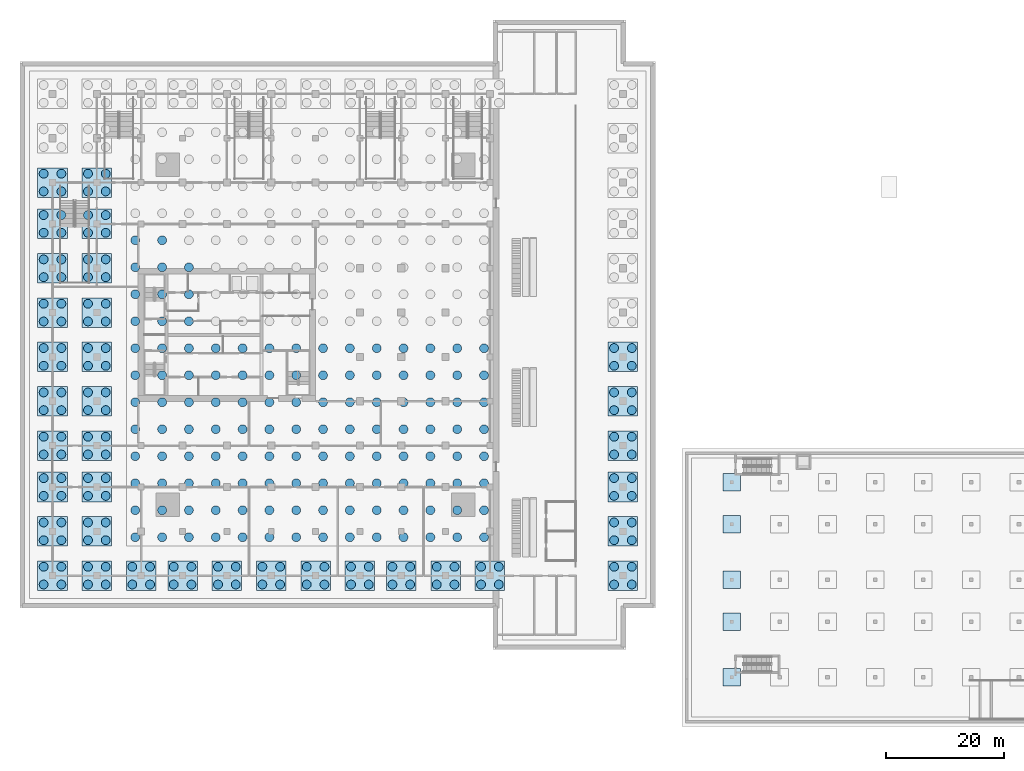
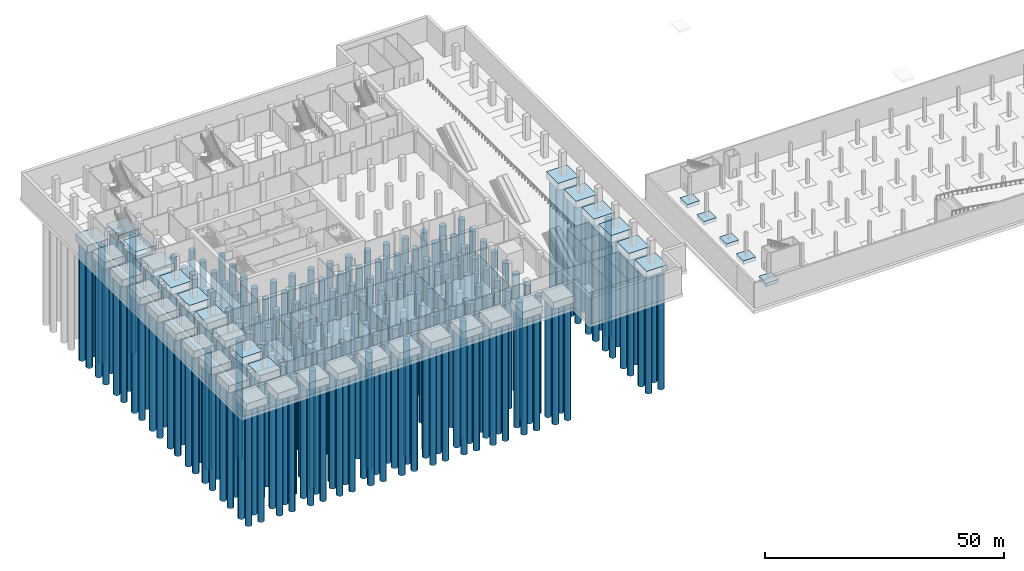
# One storey, part 1 of 39: 263 piles, 40 footings.
"""IFC4 building model written with IfcOpenShell, lengths in metres."""

from ifc_helpers import new_model, si_unit, direction, frame, origin, origin_2d, place, context, subcontext, project, spatial, rectangle, circle, extrude, material, material_profile, profile_set, type_object, element, save


model = new_model("IFC4")

# Units and contexts
model_context = context("Model", 3, precision=1e-05, world=origin(), true_north=direction((0.0, 1.0)))
body_context = subcontext(model_context, "Body", "Model", "MODEL_VIEW")
ifc_project = project(units=[si_unit("LENGTHUNIT", "METRE"), si_unit("AREAUNIT", "SQUARE_METRE"), si_unit("VOLUMEUNIT", "CUBIC_METRE"), si_unit("PLANEANGLEUNIT", "RADIAN"), si_unit("MASSUNIT", "GRAM", prefix="KILO")], contexts=[model_context])

# Site, building, storey
site_placement = place(None, origin())
site = spatial("IfcSite", under=ifc_project, at=site_placement, CompositionType="ELEMENT")
building_placement = place(site_placement, origin())
building = spatial("IfcBuilding", under=site, at=building_placement, Name="Tamorin Gate", CompositionType="ELEMENT")
storey_placement = place(building_placement, frame((0.0, 0.0, -12.0)))
storey = spatial("IfcBuildingStorey", under=building, at=storey_placement, Name="B2", CompositionType="ELEMENT", Elevation=-12.0)

# Piles
ifc_material = material(Name="Concrete C40/50", Category="concrete")
ifc_material_profile = material_profile(ifc_material, circle(Radius=0.75, at=origin_2d()))
ifc_profile_set = profile_set([ifc_material_profile], Name="Concrete C40/50")
pile_type = type_object("IfcPileType", Name="Bored pile 1500 C40/50", PredefinedType="BORED", material=ifc_profile_set)
for number, where, z_axis, x_axis, name in (
    (1, (29.5, 37.0, -3.89990234375), (0.0, 0.0, -1.0), (1.0, 0.0, 0.0), "Raft pile 1-1"),
    (2, (29.5, 41.566650390625, -3.89990234375), (0.0, 0.0, -1.0), (1.0, 0.0, 0.0), "Raft pile 1-2"),
    (3, (29.5, 46.13330078125, -3.89990234375), (0.0, 0.0, -1.0), (1.0, 0.0, 0.0), "Raft pile 1-3"),
    (4, (29.5, 50.699951171875, -3.89990234375), (0.0, 0.0, -1.0), (1.0, 0.0, 0.0), "Raft pile 1-4"),
    (5, (29.5, 55.2666015625, -3.89990234375), (0.0, 0.0, -1.0), (1.0, 0.0, 0.0), "Raft pile 1-5"),
    (6, (29.5, 59.833251953125, -3.89990234375), (0.0, 0.0, -1.0), (1.0, 0.0, 0.0), "Raft pile 1-6"),
    (7, (29.5, 64.39990234375, -3.89990234375), (0.0, 0.0, -1.0), (1.0, 0.0, 0.0), "Raft pile 1-7"),
    (8, (29.5, 68.966552734375, -3.89990234375), (0.0, 0.0, -1.0), (1.0, 0.0, 0.0), "Raft pile 1-8"),
    (9, (29.5, 73.533447265625, -3.89990234375), (0.0, 0.0, -1.0), (1.0, 0.0, 0.0), "Raft pile 1-9"),
    (10, (29.5, 78.10009765625, -3.89990234375), (0.0, 0.0, -1.0), (1.0, 0.0, 0.0), "Raft pile 1-10"),
    (11, (29.5, 82.666748046875, -3.89990234375), (0.0, 0.0, -1.0), (1.0, 0.0, 0.0), "Raft pile 1-11"),
    (12, (29.5, 87.2333984375, -3.89990234375), (0.0, 0.0, -1.0), (1.0, 0.0, 0.0), "Raft pile 1-12"),
    (13, (34.03857421875, 37.0, -3.89990234375), (0.0, 0.0, -1.0), (1.0, 0.0, 0.0), "Raft pile 2-1"),
    (14, (34.03857421875, 41.566650390625, -3.89990234375), (0.0, 0.0, -1.0), (1.0, 0.0, 0.0), "Raft pile 2-2"),
    (15, (34.03857421875, 46.13330078125, -3.89990234375), (0.0, 0.0, -1.0), (1.0, 0.0, 0.0), "Raft pile 2-3"),
    (16, (34.03857421875, 50.699951171875, -3.89990234375), (0.0, 0.0, -1.0), (1.0, 0.0, 0.0), "Raft pile 2-4"),
    (17, (34.03857421875, 55.2666015625, -3.89990234375), (0.0, 0.0, -1.0), (1.0, 0.0, 0.0), "Raft pile 2-5"),
    (18, (34.03857421875, 59.833251953125, -3.89990234375), (0.0, 0.0, -1.0), (1.0, 0.0, 0.0), "Raft pile 2-6"),
    (19, (34.03857421875, 64.39990234375, -3.89990234375), (0.0, 0.0, -1.0), (1.0, 0.0, 0.0), "Raft pile 2-7"),
    (20, (34.03857421875, 68.966552734375, -3.89990234375), (0.0, 0.0, -1.0), (1.0, 0.0, 0.0), "Raft pile 2-8"),
    (21, (34.03857421875, 73.533447265625, -3.89990234375), (0.0, 0.0, -1.0), (1.0, 0.0, 0.0), "Raft pile 2-9"),
    (22, (34.03857421875, 78.10009765625, -3.89990234375), (0.0, 0.0, -1.0), (1.0, 0.0, 0.0), "Raft pile 2-10"),
    (23, (34.03857421875, 82.666748046875, -3.89990234375), (0.0, 0.0, -1.0), (1.0, 0.0, 0.0), "Raft pile 2-11"),
    (24, (34.03857421875, 87.2333984375, -3.89990234375), (0.0, 0.0, -1.0), (1.0, 0.0, 0.0), "Raft pile 2-12"),
    (25, (38.576904296875, 37.0, -3.89990234375), (0.0, 0.0, -1.0), (1.0, 0.0, 0.0), "Raft pile 3-1"),
    (26, (38.576904296875, 41.566650390625, -3.89990234375), (0.0, 0.0, -1.0), (1.0, 0.0, 0.0), "Raft pile 3-2"),
    (27, (38.576904296875, 46.13330078125, -3.89990234375), (0.0, 0.0, -1.0), (1.0, 0.0, 0.0), "Raft pile 3-3"),
    (28, (38.576904296875, 50.699951171875, -3.89990234375), (0.0, 0.0, -1.0), (1.0, 0.0, 0.0), "Raft pile 3-4"),
    (29, (38.576904296875, 55.2666015625, -3.89990234375), (0.0, 0.0, -1.0), (1.0, 0.0, 0.0), "Raft pile 3-5"),
    (30, (38.576904296875, 59.833251953125, -3.89990234375), (0.0, 0.0, -1.0), (1.0, 0.0, 0.0), "Raft pile 3-6"),
    (31, (38.576904296875, 64.39990234375, -3.89990234375), (0.0, 0.0, -1.0), (1.0, 0.0, 0.0), "Raft pile 3-7"),
    (32, (38.576904296875, 68.966552734375, -3.89990234375), (0.0, 0.0, -1.0), (1.0, 0.0, 0.0), "Raft pile 3-8"),
    (33, (38.576904296875, 73.533447265625, -3.89990234375), (0.0, 0.0, -1.0), (1.0, 0.0, 0.0), "Raft pile 3-9"),
    (34, (38.576904296875, 78.10009765625, -3.89990234375), (0.0, 0.0, -1.0), (1.0, 0.0, 0.0), "Raft pile 3-10"),
    (35, (38.576904296875, 82.666748046875, -3.89990234375), (0.0, 0.0, -1.0), (1.0, 0.0, 0.0), "Raft pile 3-11"),
    (36, (43.115478515625, 37.0, -3.89990234375), (0.0, 0.0, -1.0), (1.0, 0.0, 0.0), "Raft pile 4-1"),
    (37, (43.115478515625, 41.566650390625, -3.89990234375), (0.0, 0.0, -1.0), (1.0, 0.0, 0.0), "Raft pile 4-2"),
    (38, (43.115478515625, 46.13330078125, -3.89990234375), (0.0, 0.0, -1.0), (1.0, 0.0, 0.0), "Raft pile 4-3"),
    (39, (43.115478515625, 50.699951171875, -3.89990234375), (0.0, 0.0, -1.0), (1.0, 0.0, 0.0), "Raft pile 4-4"),
    (40, (43.115478515625, 55.2666015625, -3.89990234375), (0.0, 0.0, -1.0), (1.0, 0.0, 0.0), "Raft pile 4-5"),
    (41, (43.115478515625, 59.833251953125, -3.89990234375), (0.0, 0.0, -1.0), (1.0, 0.0, 0.0), "Raft pile 4-6"),
    (42, (43.115478515625, 64.39990234375, -3.89990234375), (0.0, 0.0, -1.0), (1.0, 0.0, 0.0), "Raft pile 4-7"),
    (43, (43.115478515625, 68.966552734375, -3.89990234375), (0.0, 0.0, -1.0), (1.0, 0.0, 0.0), "Raft pile 4-8"),
    (44, (47.65380859375, 37.0, -3.89990234375), (0.0, 0.0, -1.0), (1.0, 0.0, 0.0), "Raft pile 5-1"),
    (45, (47.65380859375, 41.566650390625, -3.89990234375), (0.0, 0.0, -1.0), (1.0, 0.0, 0.0), "Raft pile 5-2"),
    (46, (47.65380859375, 46.13330078125, -3.89990234375), (0.0, 0.0, -1.0), (1.0, 0.0, 0.0), "Raft pile 5-3"),
    (47, (47.65380859375, 50.699951171875, -3.89990234375), (0.0, 0.0, -1.0), (1.0, 0.0, 0.0), "Raft pile 5-4"),
    (48, (47.65380859375, 55.2666015625, -3.89990234375), (0.0, 0.0, -1.0), (1.0, 0.0, 0.0), "Raft pile 5-5"),
    (49, (47.65380859375, 59.833251953125, -3.89990234375), (0.0, 0.0, -1.0), (1.0, 0.0, 0.0), "Raft pile 5-6"),
    (50, (47.65380859375, 64.39990234375, -3.89990234375), (0.0, 0.0, -1.0), (1.0, 0.0, 0.0), "Raft pile 5-7"),
    (51, (47.65380859375, 68.966552734375, -3.89990234375), (0.0, 0.0, -1.0), (1.0, 0.0, 0.0), "Raft pile 5-8"),
    (52, (52.1923828125, 37.0, -3.89990234375), (0.0, 0.0, -1.0), (1.0, 0.0, 0.0), "Raft pile 6-1"),
    (53, (52.1923828125, 41.566650390625, -3.89990234375), (0.0, 0.0, -1.0), (1.0, 0.0, 0.0), "Raft pile 6-2"),
    (54, (52.1923828125, 46.13330078125, -3.89990234375), (0.0, 0.0, -1.0), (1.0, 0.0, 0.0), "Raft pile 6-3"),
    (55, (52.1923828125, 50.699951171875, -3.89990234375), (0.0, 0.0, -1.0), (1.0, 0.0, 0.0), "Raft pile 6-4"),
    (56, (52.1923828125, 55.2666015625, -3.89990234375), (0.0, 0.0, -1.0), (1.0, 0.0, 0.0), "Raft pile 6-5"),
    (57, (52.1923828125, 59.833251953125, -3.89990234375), (0.0, 0.0, -1.0), (1.0, 0.0, 0.0), "Raft pile 6-6"),
    (58, (52.1923828125, 64.39990234375, -3.89990234375), (0.0, 0.0, -1.0), (1.0, 0.0, 0.0), "Raft pile 6-7"),
    (59, (52.1923828125, 68.966552734375, -3.89990234375), (0.0, 0.0, -1.0), (1.0, 0.0, 0.0), "Raft pile 6-8"),
    (60, (56.730712890625, 37.0, -3.89990234375), (0.0, 0.0, -1.0), (1.0, 0.0, 0.0), "Raft pile 7-1"),
    (61, (56.730712890625, 41.566650390625, -3.89990234375), (0.0, 0.0, -1.0), (1.0, 0.0, 0.0), "Raft pile 7-2"),
    (62, (56.730712890625, 46.13330078125, -3.89990234375), (0.0, 0.0, -1.0), (1.0, 0.0, 0.0), "Raft pile 7-3"),
    (63, (56.730712890625, 50.699951171875, -3.89990234375), (0.0, 0.0, -1.0), (1.0, 0.0, 0.0), "Raft pile 7-4"),
    (64, (56.730712890625, 55.2666015625, -3.89990234375), (0.0, 0.0, -1.0), (1.0, 0.0, 0.0), "Raft pile 7-5"),
    (65, (56.730712890625, 59.833251953125, -3.89990234375), (0.0, 0.0, -1.0), (1.0, 0.0, 0.0), "Raft pile 7-6"),
    (66, (56.730712890625, 64.39990234375, -3.89990234375), (0.0, 0.0, -1.0), (1.0, 0.0, 0.0), "Raft pile 7-7"),
    (67, (56.730712890625, 68.966552734375, -3.89990234375), (0.0, 0.0, -1.0), (1.0, 0.0, 0.0), "Raft pile 7-8"),
    (68, (61.269287109375, 37.0, -3.89990234375), (0.0, 0.0, -1.0), (1.0, 0.0, 0.0), "Raft pile 8-1"),
    (69, (61.269287109375, 41.566650390625, -3.89990234375), (0.0, 0.0, -1.0), (1.0, 0.0, 0.0), "Raft pile 8-2"),
    (70, (61.269287109375, 46.13330078125, -3.89990234375), (0.0, 0.0, -1.0), (1.0, 0.0, 0.0), "Raft pile 8-3"),
    (71, (61.269287109375, 50.699951171875, -3.89990234375), (0.0, 0.0, -1.0), (1.0, 0.0, 0.0), "Raft pile 8-4"),
    (72, (61.269287109375, 55.2666015625, -3.89990234375), (0.0, 0.0, -1.0), (1.0, 0.0, 0.0), "Raft pile 8-5"),
    (73, (61.269287109375, 59.833251953125, -3.89990234375), (0.0, 0.0, -1.0), (1.0, 0.0, 0.0), "Raft pile 8-6"),
    (74, (61.269287109375, 64.39990234375, -3.89990234375), (0.0, 0.0, -1.0), (1.0, 0.0, 0.0), "Raft pile 8-7"),
    (75, (61.269287109375, 68.966552734375, -3.89990234375), (0.0, 0.0, -1.0), (1.0, 0.0, 0.0), "Raft pile 8-8"),
    (76, (65.8076171875, 37.0, -3.89990234375), (0.0, 0.0, -1.0), (1.0, 0.0, 0.0), "Raft pile 9-1"),
    (77, (65.8076171875, 41.566650390625, -3.89990234375), (0.0, 0.0, -1.0), (1.0, 0.0, 0.0), "Raft pile 9-2"),
    (78, (65.8076171875, 46.13330078125, -3.89990234375), (0.0, 0.0, -1.0), (1.0, 0.0, 0.0), "Raft pile 9-3"),
    (79, (65.8076171875, 50.699951171875, -3.89990234375), (0.0, 0.0, -1.0), (1.0, 0.0, 0.0), "Raft pile 9-4"),
    (80, (65.8076171875, 55.2666015625, -3.89990234375), (0.0, 0.0, -1.0), (1.0, 0.0, 0.0), "Raft pile 9-5"),
    (81, (65.8076171875, 59.833251953125, -3.89990234375), (0.0, 0.0, -1.0), (1.0, 0.0, 0.0), "Raft pile 9-6"),
    (82, (65.8076171875, 64.39990234375, -3.89990234375), (0.0, 0.0, -1.0), (1.0, 0.0, 0.0), "Raft pile 9-7"),
    (83, (65.8076171875, 68.966552734375, -3.89990234375), (0.0, 0.0, -1.0), (1.0, 0.0, 0.0), "Raft pile 9-8"),
    (84, (70.34619140625, 37.0, -3.89990234375), (0.0, 0.0, -1.0), (1.0, 0.0, 0.0), "Raft pile 10-1"),
    (85, (70.34619140625, 41.566650390625, -3.89990234375), (0.0, 0.0, -1.0), (1.0, 0.0, 0.0), "Raft pile 10-2"),
    (86, (70.34619140625, 46.13330078125, -3.89990234375), (0.0, 0.0, -1.0), (1.0, 0.0, 0.0), "Raft pile 10-3"),
    (87, (70.34619140625, 50.699951171875, -3.89990234375), (0.0, 0.0, -1.0), (1.0, 0.0, 0.0), "Raft pile 10-4"),
    (88, (70.34619140625, 55.2666015625, -3.89990234375), (0.0, 0.0, -1.0), (1.0, 0.0, 0.0), "Raft pile 10-5"),
    (89, (70.34619140625, 59.833251953125, -3.89990234375), (0.0, 0.0, -1.0), (1.0, 0.0, 0.0), "Raft pile 10-6"),
    (90, (70.34619140625, 64.39990234375, -3.89990234375), (0.0, 0.0, -1.0), (1.0, 0.0, 0.0), "Raft pile 10-7"),
    (91, (70.34619140625, 68.966552734375, -3.89990234375), (0.0, 0.0, -1.0), (1.0, 0.0, 0.0), "Raft pile 10-8"),
    (92, (74.884521484375, 37.0, -3.89990234375), (0.0, 0.0, -1.0), (1.0, 0.0, 0.0), "Raft pile 11-1"),
    (93, (74.884521484375, 41.566650390625, -3.89990234375), (0.0, 0.0, -1.0), (1.0, 0.0, 0.0), "Raft pile 11-2"),
    (94, (74.884521484375, 46.13330078125, -3.89990234375), (0.0, 0.0, -1.0), (1.0, 0.0, 0.0), "Raft pile 11-3"),
    (95, (74.884521484375, 50.699951171875, -3.89990234375), (0.0, 0.0, -1.0), (1.0, 0.0, 0.0), "Raft pile 11-4"),
    (96, (74.884521484375, 55.2666015625, -3.89990234375), (0.0, 0.0, -1.0), (1.0, 0.0, 0.0), "Raft pile 11-5"),
    (97, (74.884521484375, 59.833251953125, -3.89990234375), (0.0, 0.0, -1.0), (1.0, 0.0, 0.0), "Raft pile 11-6"),
    (98, (74.884521484375, 64.39990234375, -3.89990234375), (0.0, 0.0, -1.0), (1.0, 0.0, 0.0), "Raft pile 11-7"),
    (99, (74.884521484375, 68.966552734375, -3.89990234375), (0.0, 0.0, -1.0), (1.0, 0.0, 0.0), "Raft pile 11-8"),
    (100, (79.423095703125, 37.0, -3.89990234375), (0.0, 0.0, -1.0), (1.0, 0.0, 0.0), "Raft pile 12-1"),
    (101, (79.423095703125, 41.566650390625, -3.89990234375), (0.0, 0.0, -1.0), (1.0, 0.0, 0.0), "Raft pile 12-2"),
    (102, (79.423095703125, 46.13330078125, -3.89990234375), (0.0, 0.0, -1.0), (1.0, 0.0, 0.0), "Raft pile 12-3"),
    (103, (79.423095703125, 50.699951171875, -3.89990234375), (0.0, 0.0, -1.0), (1.0, 0.0, 0.0), "Raft pile 12-4"),
    (104, (79.423095703125, 55.2666015625, -3.89990234375), (0.0, 0.0, -1.0), (1.0, 0.0, 0.0), "Raft pile 12-5"),
    (105, (79.423095703125, 59.833251953125, -3.89990234375), (0.0, 0.0, -1.0), (1.0, 0.0, 0.0), "Raft pile 12-6"),
    (106, (79.423095703125, 64.39990234375, -3.89990234375), (0.0, 0.0, -1.0), (1.0, 0.0, 0.0), "Raft pile 12-7"),
    (107, (79.423095703125, 68.966552734375, -3.89990234375), (0.0, 0.0, -1.0), (1.0, 0.0, 0.0), "Raft pile 12-8"),
    (108, (83.96142578125, 37.0, -3.89990234375), (0.0, 0.0, -1.0), (1.0, 0.0, 0.0), "Raft pile 13-1"),
    (109, (83.96142578125, 41.566650390625, -3.89990234375), (0.0, 0.0, -1.0), (1.0, 0.0, 0.0), "Raft pile 13-2"),
    (110, (83.96142578125, 46.13330078125, -3.89990234375), (0.0, 0.0, -1.0), (1.0, 0.0, 0.0), "Raft pile 13-3"),
    (111, (83.96142578125, 50.699951171875, -3.89990234375), (0.0, 0.0, -1.0), (1.0, 0.0, 0.0), "Raft pile 13-4"),
    (112, (83.96142578125, 55.2666015625, -3.89990234375), (0.0, 0.0, -1.0), (1.0, 0.0, 0.0), "Raft pile 13-5"),
    (113, (83.96142578125, 59.833251953125, -3.89990234375), (0.0, 0.0, -1.0), (1.0, 0.0, 0.0), "Raft pile 13-6"),
    (114, (83.96142578125, 64.39990234375, -3.89990234375), (0.0, 0.0, -1.0), (1.0, 0.0, 0.0), "Raft pile 13-7"),
    (115, (83.96142578125, 68.966552734375, -3.89990234375), (0.0, 0.0, -1.0), (1.0, 0.0, 0.0), "Raft pile 13-8"),
    (116, (88.5, 37.0, -3.89990234375), (0.0, 0.0, -1.0), (1.0, 0.0, 0.0), "Raft pile 14-1"),
    (117, (88.5, 41.566650390625, -3.89990234375), (0.0, 0.0, -1.0), (1.0, 0.0, 0.0), "Raft pile 14-2"),
    (118, (88.5, 46.13330078125, -3.89990234375), (0.0, 0.0, -1.0), (1.0, 0.0, 0.0), "Raft pile 14-3"),
    (119, (88.5, 50.699951171875, -3.89990234375), (0.0, 0.0, -1.0), (1.0, 0.0, 0.0), "Raft pile 14-4"),
    (120, (88.5, 55.2666015625, -3.89990234375), (0.0, 0.0, -1.0), (1.0, 0.0, 0.0), "Raft pile 14-5"),
    (121, (88.5, 59.833251953125, -3.89990234375), (0.0, 0.0, -1.0), (1.0, 0.0, 0.0), "Raft pile 14-6"),
    (122, (88.5, 64.39990234375, -3.89990234375), (0.0, 0.0, -1.0), (1.0, 0.0, 0.0), "Raft pile 14-7"),
    (123, (88.5, 68.966552734375, -3.89990234375), (0.0, 0.0, -1.0), (1.0, 0.0, 0.0), "Raft pile 14-8"),
    (124, (14.0, 29.0, -1.699951171875), (0.0, 0.0, -1.0), (1.0, 0.0, 0.0), "Cap pile"),
    (125, (14.0, 32.0, -1.699951171875), (0.0, 0.0, -1.0), (1.0, 0.0, 0.0), "Cap pile"),
    (126, (17.0, 29.0, -1.699951171875), (0.0, 0.0, -1.0), (1.0, 0.0, 0.0), "Cap pile"),
    (127, (17.0, 32.0, -1.699951171875), (0.0, 0.0, -1.0), (1.0, 0.0, 0.0), "Cap pile"),
    (128, (14.0, 36.5, -1.699951171875), (0.0, 0.0, -1.0), (1.0, 0.0, 0.0), "Cap pile"),
    (129, (14.0, 39.5, -1.699951171875), (0.0, 0.0, -1.0), (1.0, 0.0, 0.0), "Cap pile"),
    (130, (17.0, 36.5, -1.699951171875), (0.0, 0.0, -1.0), (1.0, 0.0, 0.0), "Cap pile"),
    (131, (17.0, 39.5, -1.699951171875), (0.0, 0.0, -1.0), (1.0, 0.0, 0.0), "Cap pile"),
    (132, (14.0, 44.0, -1.699951171875), (0.0, 0.0, -1.0), (1.0, 0.0, 0.0), "Cap pile"),
    (133, (14.0, 47.0, -1.699951171875), (0.0, 0.0, -1.0), (1.0, 0.0, 0.0), "Cap pile"),
    (134, (17.0, 44.0, -1.699951171875), (0.0, 0.0, -1.0), (1.0, 0.0, 0.0), "Cap pile"),
    (135, (17.0, 47.0, -1.699951171875), (0.0, 0.0, -1.0), (1.0, 0.0, 0.0), "Cap pile"),
    (136, (14.0, 51.0, -1.699951171875), (0.0, 0.0, -1.0), (1.0, 0.0, 0.0), "Cap pile"),
    (137, (14.0, 54.0, -1.699951171875), (0.0, 0.0, -1.0), (1.0, 0.0, 0.0), "Cap pile"),
    (138, (17.0, 51.0, -1.699951171875), (0.0, 0.0, -1.0), (1.0, 0.0, 0.0), "Cap pile"),
    (139, (17.0, 54.0, -1.699951171875), (0.0, 0.0, -1.0), (1.0, 0.0, 0.0), "Cap pile"),
    (140, (14.0, 58.5, -1.699951171875), (0.0, 0.0, -1.0), (1.0, 0.0, 0.0), "Cap pile"),
    (141, (14.0, 61.5, -1.699951171875), (0.0, 0.0, -1.0), (1.0, 0.0, 0.0), "Cap pile"),
    (142, (17.0, 58.5, -1.699951171875), (0.0, 0.0, -1.0), (1.0, 0.0, 0.0), "Cap pile"),
    (143, (17.0, 61.5, -1.699951171875), (0.0, 0.0, -1.0), (1.0, 0.0, 0.0), "Cap pile"),
    (144, (14.0, 66.0, -1.699951171875), (0.0, 0.0, -1.0), (1.0, 0.0, 0.0), "Cap pile"),
    (145, (14.0, 69.0, -1.699951171875), (0.0, 0.0, -1.0), (1.0, 0.0, 0.0), "Cap pile"),
    (146, (17.0, 66.0, -1.699951171875), (0.0, 0.0, -1.0), (1.0, 0.0, 0.0), "Cap pile"),
    (147, (17.0, 69.0, -1.699951171875), (0.0, 0.0, -1.0), (1.0, 0.0, 0.0), "Cap pile"),
    (148, (14.0, 73.5, -1.699951171875), (0.0, 0.0, -1.0), (1.0, 0.0, 0.0), "Cap pile"),
    (149, (14.0, 76.5, -1.699951171875), (0.0, 0.0, -1.0), (1.0, 0.0, 0.0), "Cap pile"),
    (150, (17.0, 73.5, -1.699951171875), (0.0, 0.0, -1.0), (1.0, 0.0, 0.0), "Cap pile"),
    (151, (17.0, 76.5, -1.699951171875), (0.0, 0.0, -1.0), (1.0, 0.0, 0.0), "Cap pile"),
    (152, (14.0, 81.0, -1.699951171875), (0.0, 0.0, -1.0), (1.0, 0.0, 0.0), "Cap pile"),
    (153, (14.0, 84.0, -1.699951171875), (0.0, 0.0, -1.0), (1.0, 0.0, 0.0), "Cap pile"),
    (154, (17.0, 81.0, -1.699951171875), (0.0, 0.0, -1.0), (1.0, 0.0, 0.0), "Cap pile"),
    (155, (17.0, 84.0, -1.699951171875), (0.0, 0.0, -1.0), (1.0, 0.0, 0.0), "Cap pile"),
    (156, (14.0, 88.5, -1.699951171875), (0.0, 0.0, -1.0), (1.0, 0.0, 0.0), "Cap pile"),
    (157, (14.0, 91.5, -1.699951171875), (0.0, 0.0, -1.0), (1.0, 0.0, 0.0), "Cap pile"),
    (158, (17.0, 88.5, -1.699951171875), (0.0, 0.0, -1.0), (1.0, 0.0, 0.0), "Cap pile"),
    (159, (17.0, 91.5, -1.699951171875), (0.0, 0.0, -1.0), (1.0, 0.0, 0.0), "Cap pile"),
    (160, (14.0, 95.5, -1.699951171875), (0.0, 0.0, -1.0), (1.0, 0.0, 0.0), "Cap pile"),
    (161, (14.0, 98.5, -1.699951171875), (0.0, 0.0, -1.0), (1.0, 0.0, 0.0), "Cap pile"),
    (162, (17.0, 95.5, -1.699951171875), (0.0, 0.0, -1.0), (1.0, 0.0, 0.0), "Cap pile"),
    (163, (17.0, 98.5, -1.699951171875), (0.0, 0.0, -1.0), (1.0, 0.0, 0.0), "Cap pile"),
    (164, (21.5, 29.0, -1.699951171875), (0.0, 0.0, -1.0), (1.0, 0.0, 0.0), "Cap pile"),
    (165, (21.5, 32.0, -1.699951171875), (0.0, 0.0, -1.0), (1.0, 0.0, 0.0), "Cap pile"),
    (166, (24.5, 29.0, -1.699951171875), (0.0, 0.0, -1.0), (1.0, 0.0, 0.0), "Cap pile"),
    (167, (24.5, 32.0, -1.699951171875), (0.0, 0.0, -1.0), (1.0, 0.0, 0.0), "Cap pile"),
    (168, (21.5, 36.5, -1.699951171875), (0.0, 0.0, -1.0), (1.0, 0.0, 0.0), "Cap pile"),
    (169, (21.5, 39.5, -1.699951171875), (0.0, 0.0, -1.0), (1.0, 0.0, 0.0), "Cap pile"),
    (170, (24.5, 36.5, -1.699951171875), (0.0, 0.0, -1.0), (1.0, 0.0, 0.0), "Cap pile"),
    (171, (24.5, 39.5, -1.699951171875), (0.0, 0.0, -1.0), (1.0, 0.0, 0.0), "Cap pile"),
    (172, (21.5, 44.0, -1.699951171875), (0.0, 0.0, -1.0), (1.0, 0.0, 0.0), "Cap pile"),
    (173, (21.5, 47.0, -1.699951171875), (0.0, 0.0, -1.0), (1.0, 0.0, 0.0), "Cap pile"),
    (174, (24.5, 44.0, -1.699951171875), (0.0, 0.0, -1.0), (1.0, 0.0, 0.0), "Cap pile"),
    (175, (24.5, 47.0, -1.699951171875), (0.0, 0.0, -1.0), (1.0, 0.0, 0.0), "Cap pile"),
    (176, (21.5, 51.0, -1.699951171875), (0.0, 0.0, -1.0), (1.0, 0.0, 0.0), "Cap pile"),
    (177, (21.5, 54.0, -1.699951171875), (0.0, 0.0, -1.0), (1.0, 0.0, 0.0), "Cap pile"),
    (178, (24.5, 51.0, -1.699951171875), (0.0, 0.0, -1.0), (1.0, 0.0, 0.0), "Cap pile"),
    (179, (24.5, 54.0, -1.699951171875), (0.0, 0.0, -1.0), (1.0, 0.0, 0.0), "Cap pile"),
    (180, (21.5, 58.5, -1.699951171875), (0.0, 0.0, -1.0), (1.0, 0.0, 0.0), "Cap pile"),
    (181, (21.5, 61.5, -1.699951171875), (0.0, 0.0, -1.0), (1.0, 0.0, 0.0), "Cap pile"),
    (182, (24.5, 58.5, -1.699951171875), (0.0, 0.0, -1.0), (1.0, 0.0, 0.0), "Cap pile"),
    (183, (24.5, 61.5, -1.699951171875), (0.0, 0.0, -1.0), (1.0, 0.0, 0.0), "Cap pile"),
    (184, (21.5, 66.0, -1.699951171875), (0.0, 0.0, -1.0), (1.0, 0.0, 0.0), "Cap pile"),
    (185, (21.5, 69.0, -1.699951171875), (0.0, 0.0, -1.0), (1.0, 0.0, 0.0), "Cap pile"),
    (186, (24.5, 66.0, -1.699951171875), (0.0, 0.0, -1.0), (1.0, 0.0, 0.0), "Cap pile"),
    (187, (24.5, 69.0, -1.699951171875), (0.0, 0.0, -1.0), (1.0, 0.0, 0.0), "Cap pile"),
    (188, (21.5, 73.5, -1.699951171875), (0.0, 0.0, -1.0), (1.0, 0.0, 0.0), "Cap pile"),
    (189, (21.5, 76.5, -1.699951171875), (0.0, 0.0, -1.0), (1.0, 0.0, 0.0), "Cap pile"),
    (190, (24.5, 73.5, -1.699951171875), (0.0, 0.0, -1.0), (1.0, 0.0, 0.0), "Cap pile"),
    (191, (24.5, 76.5, -1.699951171875), (0.0, 0.0, -1.0), (1.0, 0.0, 0.0), "Cap pile"),
    (192, (21.5, 81.0, -1.699951171875), (0.0, 0.0, -1.0), (1.0, 0.0, 0.0), "Cap pile"),
    (193, (21.5, 84.0, -1.699951171875), (0.0, 0.0, -1.0), (1.0, 0.0, 0.0), "Cap pile"),
    (194, (24.5, 81.0, -1.699951171875), (0.0, 0.0, -1.0), (1.0, 0.0, 0.0), "Cap pile"),
    (195, (24.5, 84.0, -1.699951171875), (0.0, 0.0, -1.0), (1.0, 0.0, 0.0), "Cap pile"),
    (196, (21.5, 88.5, -1.699951171875), (0.0, 0.0, -1.0), (1.0, 0.0, 0.0), "Cap pile"),
    (197, (21.5, 91.5, -1.699951171875), (0.0, 0.0, -1.0), (1.0, 0.0, 0.0), "Cap pile"),
    (198, (24.5, 88.5, -1.699951171875), (0.0, 0.0, -1.0), (1.0, 0.0, 0.0), "Cap pile"),
    (199, (24.5, 91.5, -1.699951171875), (0.0, 0.0, -1.0), (1.0, 0.0, 0.0), "Cap pile"),
    (200, (21.5, 95.5, -1.699951171875), (0.0, 0.0, -1.0), (1.0, 0.0, 0.0), "Cap pile"),
    (201, (21.5, 98.5, -1.699951171875), (0.0, 0.0, -1.0), (1.0, 0.0, 0.0), "Cap pile"),
    (202, (24.5, 95.5, -1.699951171875), (0.0, 0.0, -1.0), (1.0, 0.0, 0.0), "Cap pile"),
    (203, (24.5, 98.5, -1.699951171875), (0.0, 0.0, -1.0), (1.0, 0.0, 0.0), "Cap pile"),
    (204, (29.0, 29.0, -1.699951171875), (0.0, 0.0, -1.0), (1.0, 0.0, 0.0), "Cap pile"),
    (205, (29.0, 32.0, -1.699951171875), (0.0, 0.0, -1.0), (1.0, 0.0, 0.0), "Cap pile"),
    (206, (32.0, 29.0, -1.699951171875), (0.0, 0.0, -1.0), (1.0, 0.0, 0.0), "Cap pile"),
    (207, (32.0, 32.0, -1.699951171875), (0.0, 0.0, -1.0), (1.0, 0.0, 0.0), "Cap pile"),
    (208, (36.0, 29.0, -1.699951171875), (0.0, 0.0, -1.0), (1.0, 0.0, 0.0), "Cap pile"),
    (209, (36.0, 32.0, -1.699951171875), (0.0, 0.0, -1.0), (1.0, 0.0, 0.0), "Cap pile"),
    (210, (39.0, 29.0, -1.699951171875), (0.0, 0.0, -1.0), (1.0, 0.0, 0.0), "Cap pile"),
    (211, (39.0, 32.0, -1.699951171875), (0.0, 0.0, -1.0), (1.0, 0.0, 0.0), "Cap pile"),
    (212, (43.5, 29.0, -1.699951171875), (0.0, 0.0, -1.0), (1.0, 0.0, 0.0), "Cap pile"),
    (213, (43.5, 32.0, -1.699951171875), (0.0, 0.0, -1.0), (1.0, 0.0, 0.0), "Cap pile"),
    (214, (46.5, 29.0, -1.699951171875), (0.0, 0.0, -1.0), (1.0, 0.0, 0.0), "Cap pile"),
    (215, (46.5, 32.0, -1.699951171875), (0.0, 0.0, -1.0), (1.0, 0.0, 0.0), "Cap pile"),
    (216, (51.0, 29.0, -1.699951171875), (0.0, 0.0, -1.0), (1.0, 0.0, 0.0), "Cap pile"),
    (217, (51.0, 32.0, -1.699951171875), (0.0, 0.0, -1.0), (1.0, 0.0, 0.0), "Cap pile"),
    (218, (54.0, 29.0, -1.699951171875), (0.0, 0.0, -1.0), (1.0, 0.0, 0.0), "Cap pile"),
    (219, (54.0, 32.0, -1.699951171875), (0.0, 0.0, -1.0), (1.0, 0.0, 0.0), "Cap pile"),
    (220, (58.5, 29.0, -1.699951171875), (0.0, 0.0, -1.0), (1.0, 0.0, 0.0), "Cap pile"),
    (221, (58.5, 32.0, -1.699951171875), (0.0, 0.0, -1.0), (1.0, 0.0, 0.0), "Cap pile"),
    (222, (61.5, 29.0, -1.699951171875), (0.0, 0.0, -1.0), (1.0, 0.0, 0.0), "Cap pile"),
    (223, (61.5, 32.0, -1.699951171875), (0.0, 0.0, -1.0), (1.0, 0.0, 0.0), "Cap pile"),
    (224, (66.0, 29.0, -1.699951171875), (0.0, 0.0, -1.0), (1.0, 0.0, 0.0), "Cap pile"),
    (225, (66.0, 32.0, -1.699951171875), (0.0, 0.0, -1.0), (1.0, 0.0, 0.0), "Cap pile"),
    (226, (69.0, 29.0, -1.699951171875), (0.0, 0.0, -1.0), (1.0, 0.0, 0.0), "Cap pile"),
    (227, (69.0, 32.0, -1.699951171875), (0.0, 0.0, -1.0), (1.0, 0.0, 0.0), "Cap pile"),
    (228, (73.0, 29.0, -1.699951171875), (0.0, 0.0, -1.0), (1.0, 0.0, 0.0), "Cap pile"),
    (229, (73.0, 32.0, -1.699951171875), (0.0, 0.0, -1.0), (1.0, 0.0, 0.0), "Cap pile"),
    (230, (76.0, 29.0, -1.699951171875), (0.0, 0.0, -1.0), (1.0, 0.0, 0.0), "Cap pile"),
    (231, (76.0, 32.0, -1.699951171875), (0.0, 0.0, -1.0), (1.0, 0.0, 0.0), "Cap pile"),
    (232, (80.5, 29.0, -1.699951171875), (0.0, 0.0, -1.0), (1.0, 0.0, 0.0), "Cap pile"),
    (233, (80.5, 32.0, -1.699951171875), (0.0, 0.0, -1.0), (1.0, 0.0, 0.0), "Cap pile"),
    (234, (83.5, 29.0, -1.699951171875), (0.0, 0.0, -1.0), (1.0, 0.0, 0.0), "Cap pile"),
    (235, (83.5, 32.0, -1.699951171875), (0.0, 0.0, -1.0), (1.0, 0.0, 0.0), "Cap pile"),
    (236, (88.0, 29.0, -1.699951171875), (0.0, 0.0, -1.0), (1.0, 0.0, 0.0), "Cap pile"),
    (237, (88.0, 32.0, -1.699951171875), (0.0, 0.0, -1.0), (1.0, 0.0, 0.0), "Cap pile"),
    (238, (91.0, 29.0, -1.699951171875), (0.0, 0.0, -1.0), (1.0, 0.0, 0.0), "Cap pile"),
    (239, (91.0, 32.0, -1.699951171875), (0.0, 0.0, -1.0), (1.0, 0.0, 0.0), "Cap pile"),
    (240, (110.5, 29.0, -1.699951171875), (0.0, 0.0, -1.0), (1.0, 0.0, 0.0), "Cap pile"),
    (241, (110.5, 32.0, -1.699951171875), (0.0, 0.0, -1.0), (1.0, 0.0, 0.0), "Cap pile"),
    (242, (113.5, 29.0, -1.699951171875), (0.0, 0.0, -1.0), (1.0, 0.0, 0.0), "Cap pile"),
    (243, (113.5, 32.0, -1.699951171875), (0.0, 0.0, -1.0), (1.0, 0.0, 0.0), "Cap pile"),
    (244, (110.5, 36.5, -1.699951171875), (0.0, 0.0, -1.0), (1.0, 0.0, 0.0), "Cap pile"),
    (245, (110.5, 39.5, -1.699951171875), (0.0, 0.0, -1.0), (1.0, 0.0, 0.0), "Cap pile"),
    (246, (113.5, 36.5, -1.699951171875), (0.0, 0.0, -1.0), (1.0, 0.0, 0.0), "Cap pile"),
    (247, (113.5, 39.5, -1.699951171875), (0.0, 0.0, -1.0), (1.0, 0.0, 0.0), "Cap pile"),
    (248, (110.5, 44.0, -1.699951171875), (0.0, 0.0, -1.0), (1.0, 0.0, 0.0), "Cap pile"),
    (249, (110.5, 47.0, -1.699951171875), (0.0, 0.0, -1.0), (1.0, 0.0, 0.0), "Cap pile"),
    (250, (113.5, 44.0, -1.699951171875), (0.0, 0.0, -1.0), (1.0, 0.0, 0.0), "Cap pile"),
    (251, (113.5, 47.0, -1.699951171875), (0.0, 0.0, -1.0), (1.0, 0.0, 0.0), "Cap pile"),
    (252, (110.5, 51.0, -1.699951171875), (0.0, 0.0, -1.0), (1.0, 0.0, 0.0), "Cap pile"),
    (253, (110.5, 54.0, -1.699951171875), (0.0, 0.0, -1.0), (1.0, 0.0, 0.0), "Cap pile"),
    (254, (113.5, 51.0, -1.699951171875), (0.0, 0.0, -1.0), (1.0, 0.0, 0.0), "Cap pile"),
    (255, (113.5, 54.0, -1.699951171875), (0.0, 0.0, -1.0), (1.0, 0.0, 0.0), "Cap pile"),
    (256, (110.5, 58.5, -1.699951171875), (0.0, 0.0, -1.0), (1.0, 0.0, 0.0), "Cap pile"),
    (257, (110.5, 61.5, -1.699951171875), (0.0, 0.0, -1.0), (1.0, 0.0, 0.0), "Cap pile"),
    (258, (113.5, 58.5, -1.699951171875), (0.0, 0.0, -1.0), (1.0, 0.0, 0.0), "Cap pile"),
    (259, (113.5, 61.5, -1.699951171875), (0.0, 0.0, -1.0), (1.0, 0.0, 0.0), "Cap pile"),
    (260, (110.5, 66.0, -1.699951171875), (0.0, 0.0, -1.0), (1.0, 0.0, 0.0), "Cap pile"),
    (261, (110.5, 69.0, -1.699951171875), (0.0, 0.0, -1.0), (1.0, 0.0, 0.0), "Cap pile"),
    (262, (113.5, 66.0, -1.699951171875), (0.0, 0.0, -1.0), (1.0, 0.0, 0.0), "Cap pile"),
    (263, (113.5, 69.0, -1.699951171875), (0.0, 0.0, -1.0), (1.0, 0.0, 0.0), "Cap pile"),
):
    element("IfcPile", number, at=place(storey_placement, frame(where, z_axis=z_axis, x_axis=x_axis)), inside=storey, type_object=pile_type, Name=name, PredefinedType="BORED", context=body_context, shape_type="SweptSolid", body=[
        extrude(circle(Radius=0.75, at=origin_2d()), origin(), (0.0, 0.0, 1.0), 30.0),
    ])

# Footings
footing_type_1 = type_object("IfcFootingType", Name="RC pad footing 3000x3000x900 C40/50", PredefinedType="PAD_FOOTING", material=ifc_material)
for number, where, z_axis, x_axis, name in (
    (264, (130.39990234375, 13.300048828125, -0.89990234375), (0.0, 0.0, 1.0), (1.0, 0.0, 0.0), "Column pad"),
    (265, (130.39990234375, 22.699951171875, -0.89990234375), (0.0, 0.0, 1.0), (1.0, 0.0, 0.0), "Column pad"),
    (266, (130.39990234375, 29.800048828125, -0.89990234375), (0.0, 0.0, 1.0), (1.0, 0.0, 0.0), "Column pad"),
    (267, (130.39990234375, 39.199951171875, -0.89990234375), (0.0, 0.0, 1.0), (1.0, 0.0, 0.0), "Column pad"),
    (268, (130.39990234375, 46.300048828125, -0.89990234375), (0.0, 0.0, 1.0), (1.0, 0.0, 0.0), "Column pad"),
):
    element("IfcFooting", number, at=place(storey_placement, frame(where, z_axis=z_axis, x_axis=x_axis)), inside=storey, type_object=footing_type_1, Name=name, PredefinedType="PAD_FOOTING", context=body_context, shape_type="SweptSolid", body=[
        extrude(rectangle(XDim=3.0, YDim=3.0, at=origin_2d()), origin(), (0.0, 0.0, 1.0), 0.89990234375),
    ])
footing_type_2 = type_object("IfcFootingType", Name="RC pile cap 5000x5000x1800 C40/50", PredefinedType="PILE_CAP", material=ifc_material)
for number, where, z_axis, x_axis, name in (
    (269, (15.5, 30.5, -1.7998046875), (0.0, 0.0, 1.0), (1.0, 0.0, 0.0), "Pile cap"),
    (270, (15.5, 38.0, -1.7998046875), (0.0, 0.0, 1.0), (1.0, 0.0, 0.0), "Pile cap"),
    (271, (15.5, 45.5, -1.7998046875), (0.0, 0.0, 1.0), (1.0, 0.0, 0.0), "Pile cap"),
    (272, (15.5, 52.5, -1.7998046875), (0.0, 0.0, 1.0), (1.0, 0.0, 0.0), "Pile cap"),
    (273, (15.5, 60.0, -1.7998046875), (0.0, 0.0, 1.0), (1.0, 0.0, 0.0), "Pile cap"),
    (274, (15.5, 67.5, -1.7998046875), (0.0, 0.0, 1.0), (1.0, 0.0, 0.0), "Pile cap"),
    (275, (15.5, 75.0, -1.7998046875), (0.0, 0.0, 1.0), (1.0, 0.0, 0.0), "Pile cap"),
    (276, (15.5, 82.5, -1.7998046875), (0.0, 0.0, 1.0), (1.0, 0.0, 0.0), "Pile cap"),
    (277, (15.5, 90.0, -1.7998046875), (0.0, 0.0, 1.0), (1.0, 0.0, 0.0), "Pile cap"),
    (278, (15.5, 97.0, -1.7998046875), (0.0, 0.0, 1.0), (1.0, 0.0, 0.0), "Pile cap"),
    (279, (23.0, 30.5, -1.7998046875), (0.0, 0.0, 1.0), (1.0, 0.0, 0.0), "Pile cap"),
    (280, (23.0, 38.0, -1.7998046875), (0.0, 0.0, 1.0), (1.0, 0.0, 0.0), "Pile cap"),
    (281, (23.0, 45.5, -1.7998046875), (0.0, 0.0, 1.0), (1.0, 0.0, 0.0), "Pile cap"),
    (282, (23.0, 52.5, -1.7998046875), (0.0, 0.0, 1.0), (1.0, 0.0, 0.0), "Pile cap"),
    (283, (23.0, 60.0, -1.7998046875), (0.0, 0.0, 1.0), (1.0, 0.0, 0.0), "Pile cap"),
    (284, (23.0, 67.5, -1.7998046875), (0.0, 0.0, 1.0), (1.0, 0.0, 0.0), "Pile cap"),
    (285, (23.0, 75.0, -1.7998046875), (0.0, 0.0, 1.0), (1.0, 0.0, 0.0), "Pile cap"),
    (286, (23.0, 82.5, -1.7998046875), (0.0, 0.0, 1.0), (1.0, 0.0, 0.0), "Pile cap"),
    (287, (23.0, 90.0, -1.7998046875), (0.0, 0.0, 1.0), (1.0, 0.0, 0.0), "Pile cap"),
    (288, (23.0, 97.0, -1.7998046875), (0.0, 0.0, 1.0), (1.0, 0.0, 0.0), "Pile cap"),
    (289, (30.5, 30.5, -1.7998046875), (0.0, 0.0, 1.0), (1.0, 0.0, 0.0), "Pile cap"),
    (290, (37.5, 30.5, -1.7998046875), (0.0, 0.0, 1.0), (1.0, 0.0, 0.0), "Pile cap"),
    (291, (45.0, 30.5, -1.7998046875), (0.0, 0.0, 1.0), (1.0, 0.0, 0.0), "Pile cap"),
    (292, (52.5, 30.5, -1.7998046875), (0.0, 0.0, 1.0), (1.0, 0.0, 0.0), "Pile cap"),
    (293, (60.0, 30.5, -1.7998046875), (0.0, 0.0, 1.0), (1.0, 0.0, 0.0), "Pile cap"),
    (294, (67.5, 30.5, -1.7998046875), (0.0, 0.0, 1.0), (1.0, 0.0, 0.0), "Pile cap"),
    (295, (74.5, 30.5, -1.7998046875), (0.0, 0.0, 1.0), (1.0, 0.0, 0.0), "Pile cap"),
    (296, (82.0, 30.5, -1.7998046875), (0.0, 0.0, 1.0), (1.0, 0.0, 0.0), "Pile cap"),
    (297, (89.5, 30.5, -1.7998046875), (0.0, 0.0, 1.0), (1.0, 0.0, 0.0), "Pile cap"),
    (298, (112.0, 30.5, -1.7998046875), (0.0, 0.0, 1.0), (1.0, 0.0, 0.0), "Pile cap"),
    (299, (112.0, 38.0, -1.7998046875), (0.0, 0.0, 1.0), (1.0, 0.0, 0.0), "Pile cap"),
    (300, (112.0, 45.5, -1.7998046875), (0.0, 0.0, 1.0), (1.0, 0.0, 0.0), "Pile cap"),
    (301, (112.0, 52.5, -1.7998046875), (0.0, 0.0, 1.0), (1.0, 0.0, 0.0), "Pile cap"),
    (302, (112.0, 60.0, -1.7998046875), (0.0, 0.0, 1.0), (1.0, 0.0, 0.0), "Pile cap"),
    (303, (112.0, 67.5, -1.7998046875), (0.0, 0.0, 1.0), (1.0, 0.0, 0.0), "Pile cap"),
):
    element("IfcFooting", number, at=place(storey_placement, frame(where, z_axis=z_axis, x_axis=x_axis)), inside=storey, type_object=footing_type_2, Name=name, PredefinedType="PILE_CAP", context=body_context, shape_type="SweptSolid", body=[
        extrude(rectangle(XDim=5.0, YDim=5.0, at=origin_2d()), origin(), (0.0, 0.0, 1.0), 1.800048828125),
    ])

save(model, "model.ifc")
